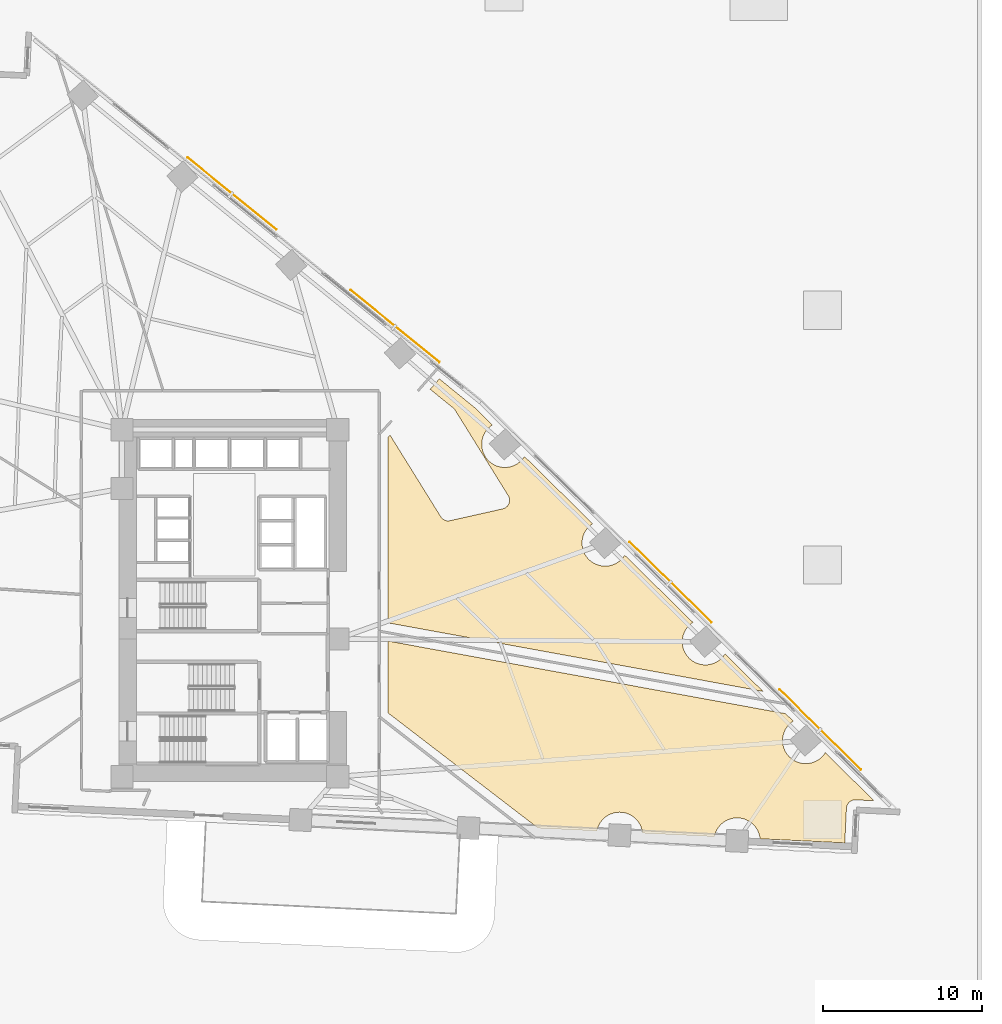
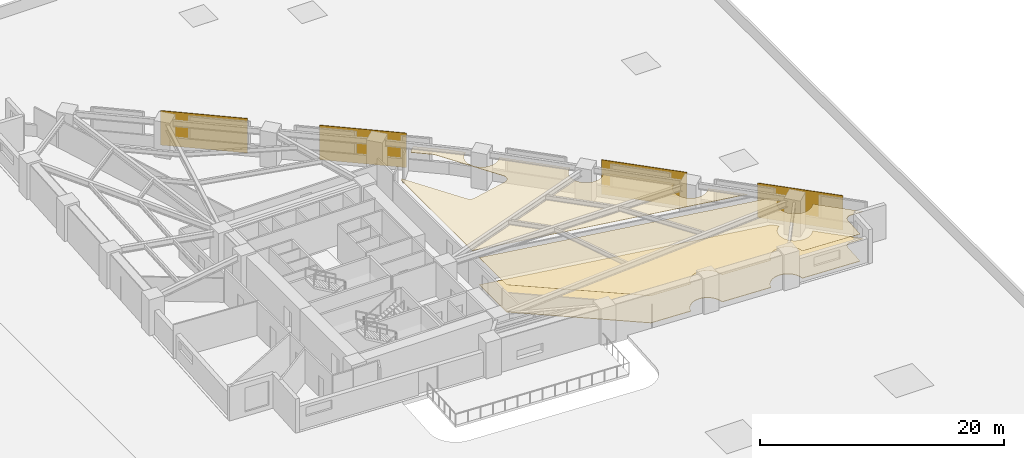
# One storey, part 19 of 19: 4 shading devices, 3 coverings.
"""IFC4 building model written with IfcOpenShell, lengths in metres."""

import ifcopenshell
import ifcopenshell.guid

model = None  # the IFC model being written
_history = None  # IfcOwnerHistory: only IFC2X3 demands one
_inside = {}  # id of a spatial element -> (the spatial element, [elements in it])
_under = {}  # id of a project, library or spatial element -> (it, [spatial elements below it])
_declared = {}  # id of a project -> (the project, [libraries it declares])
_typed = {}  # id of a type object -> (the type object, [elements of that type])
_made_of = {}  # id of a material, layer set ... -> (it, [elements and type objects made of it])


def new_model(schema):
    """Start an empty IFC model of exactly this schema.

    Asked for "IFC4X3", IfcOpenShell would pick the latest addendum, in which some entities
    have other attributes; the version numbers below select the first issue.
    IFC2X3 requires an IfcOwnerHistory on every rooted entity: one is made here for all.
    """
    global model, _history
    if schema == "IFC4X3":
        model = ifcopenshell.file(schema_version=(4, 3, 0, 0))
    else:
        model = ifcopenshell.file(schema=schema)
    _inside.clear()
    _under.clear()
    _declared.clear()
    _typed.clear()
    _made_of.clear()
    _history = None
    if model.schema == "IFC2X3":
        org = make("IfcOrganization", Name="unknown")
        user = make(
            "IfcPersonAndOrganization",
            ThePerson=make("IfcPerson", FamilyName="unknown"),
            TheOrganization=org,
        )
        app = make(
            "IfcApplication",
            ApplicationDeveloper=org,
            Version="unknown",
            ApplicationFullName="unknown",
            ApplicationIdentifier="unknown",
        )
        _history = make(
            "IfcOwnerHistory",
            OwningUser=user,
            OwningApplication=app,
            ChangeAction="ADDED",
            CreationDate=0,
        )
    return model


def make(cls, **values):
    """One entity of the class cls with the attributes given. An attribute that is None is left unset."""
    return model.create_entity(
        cls, **{name: value for name, value in values.items() if value is not None}
    )


def rooted(cls, **values):
    """An entity with a GlobalId (a new one), such as an element, a storey or a relation."""
    return make(cls, GlobalId=ifcopenshell.guid.new(), OwnerHistory=_history, **values)


def si_unit(unit_type, name, prefix=None):
    """IfcSIUnit, for example si_unit("LENGTHUNIT", "METRE", prefix="MILLI")."""
    return make("IfcSIUnit", UnitType=unit_type, Prefix=prefix, Name=name)


def assignment(units):
    """IfcUnitAssignment: the units of a project."""
    return None if units is None else make("IfcUnitAssignment", Units=units)


def point(xyz):
    """IfcCartesianPoint."""
    return None if xyz is None else make("IfcCartesianPoint", Coordinates=xyz)


def direction(xyz):
    """IfcDirection."""
    return None if xyz is None else make("IfcDirection", DirectionRatios=xyz)


def frame(location, z_axis=None, x_axis=None):
    """IfcAxis2Placement3D, a coordinate frame: its origin and axes. An axis left out is left unset."""
    return make(
        "IfcAxis2Placement3D",
        Location=point(location),
        Axis=direction(z_axis),
        RefDirection=direction(x_axis),
    )


def frame_2d(location, x_axis=None):
    """IfcAxis2Placement2D, a coordinate frame in the plane: its origin and x axis."""
    return make(
        "IfcAxis2Placement2D", Location=point(location), RefDirection=direction(x_axis)
    )


def origin():
    """The frame at (0, 0, 0) with its axes left unset."""
    return frame((0.0, 0.0, 0.0))


def origin_2d():
    """The frame at (0, 0) in the plane with its x axis left unset."""
    return frame_2d((0.0, 0.0))


def place(relative_to, where):
    """IfcLocalPlacement: puts the frame where relative to a parent placement (None: the world)."""
    return make(
        "IfcLocalPlacement", PlacementRelTo=relative_to, RelativePlacement=where
    )


def context(
    kind, dimensions, precision=None, world=None, true_north=None, identifier=None
):
    """IfcGeometricRepresentationContext, for example the 3D "Model" context."""
    return make(
        "IfcGeometricRepresentationContext",
        ContextIdentifier=identifier,
        ContextType=kind,
        CoordinateSpaceDimension=dimensions,
        Precision=precision,
        WorldCoordinateSystem=world,
        TrueNorth=true_north,
    )


def subcontext(parent, identifier, kind, view, scale=None):
    """IfcGeometricRepresentationSubContext, for example "Body" below "Model"."""
    return make(
        "IfcGeometricRepresentationSubContext",
        ContextIdentifier=identifier,
        ContextType=kind,
        ParentContext=parent,
        TargetScale=scale,
        TargetView=view,
    )


def project(units=None, contexts=None):
    """IfcProject with its units and contexts."""
    return rooted(
        "IfcProject",
        Name="project",
        RepresentationContexts=contexts,
        UnitsInContext=assignment(units),
    )


def spatial(cls, under=None, at=None, **own):
    """A site, building, storey or space (cls), placed at a placement, below another one or the project."""
    s = rooted(cls, ObjectPlacement=at, **own)
    if under is not None:
        _under.setdefault(under.id(), (under, []))[1].append(s)
    return s


def polyline(points):
    """IfcPolyline through the points."""
    return make("IfcPolyline", Points=[point(p) for p in points])


def profile(cls, at=None, kind="AREA", **sizes):
    """A parametric profile (cls). Its sizes go by their IFC names, for example OverallWidth=200.0."""
    return make(cls, ProfileType=kind, Position=at, **sizes)


def rectangle(**sizes):
    """IfcRectangleProfileDef."""
    return profile("IfcRectangleProfileDef", **sizes)


def outline(outer, holes=None, kind="AREA"):
    """IfcArbitraryClosedProfileDef: a profile drawn as a closed curve; with holes, ...WithVoids."""
    if holes is None:
        return make("IfcArbitraryClosedProfileDef", ProfileType=kind, OuterCurve=outer)
    return make(
        "IfcArbitraryProfileDefWithVoids",
        ProfileType=kind,
        OuterCurve=outer,
        InnerCurves=holes,
    )


def extrude(swept, where, along, depth):
    """IfcExtrudedAreaSolid: the profile swept, set in the frame where, extruded along a direction by depth."""
    return make(
        "IfcExtrudedAreaSolid",
        SweptArea=swept,
        Position=where,
        ExtrudedDirection=direction(along),
        Depth=depth,
    )


def shape(context_of_items, identifier, shape_type, items):
    """IfcShapeRepresentation: the items that make up one representation, for example the "Body"."""
    return make(
        "IfcShapeRepresentation",
        ContextOfItems=context_of_items,
        RepresentationIdentifier=identifier,
        RepresentationType=shape_type,
        Items=items,
    )


def material(Name=None, Category=None):
    """IfcMaterial."""
    return make("IfcMaterial", Name=Name, Category=Category)


def layer(
    of_material, thickness, ventilated=None, Name=None, Category=None, Priority=None
):
    """IfcMaterialLayer: one layer of a wall or slab, of a material (None: an air gap)."""
    return make(
        "IfcMaterialLayer",
        Material=of_material,
        LayerThickness=thickness,
        IsVentilated=ventilated,
        Name=Name,
        Category=Category,
        Priority=Priority,
    )


def layer_set(layers, Name=None):
    """IfcMaterialLayerSet."""
    return make("IfcMaterialLayerSet", MaterialLayers=layers, LayerSetName=Name)


def made_of(thing, what):
    """Note that an element or type object is made of a material, layer set ...; save() writes the relation."""
    if what is not None:
        _made_of.setdefault(what.id(), (what, []))[1].append(thing)
    return thing


def type_object(cls, material=None, **own):
    """A type object (cls), such as IfcWallType, which elements share."""
    return made_of(rooted(cls, **own), material)


def element(
    cls,
    number,
    at=None,
    inside=None,
    cuts=None,
    type_object=None,
    material=None,
    context=None,
    identifier="Body",
    shape_type=None,
    held_by="IfcProductDefinitionShape",
    body=None,
    shapes=None,
    **own,
):
    """One element of the class cls, such as IfcWall. Its Tag is "e" and its number.

    at: its placement. inside: the storey or other place that contains it. cuts: it is an
    opening in that element (IfcRelVoidsElement). A single representation is given by context,
    identifier, shape_type and body (its items); several are given by shapes. held_by: the class
    of the entity that holds the representations. save() writes the other relations.
    """
    e = rooted(cls, Tag="e%d" % number, ObjectPlacement=at, **own)
    if body is not None:
        shapes = [shape(context, identifier, shape_type, body)]
    if shapes is not None:
        e.Representation = make(held_by, Representations=shapes)
    if inside is not None:
        _inside.setdefault(inside.id(), (inside, []))[1].append(e)
    if cuts is not None:
        rooted(
            "IfcRelVoidsElement", RelatingBuildingElement=cuts, RelatedOpeningElement=e
        )
    if type_object is not None:
        _typed.setdefault(type_object.id(), (type_object, []))[1].append(e)
    return made_of(e, material)


def aggregate(whole, parts):
    """IfcRelAggregates: a whole, such as a stair, and the parts it consists of."""
    return rooted("IfcRelAggregates", RelatingObject=whole, RelatedObjects=parts)


def save(model, path):
    """Write the relations noted so far, then the file.

    IfcRelAggregates (storeys below a building ...), IfcRelContainedInSpatialStructure (elements
    in a storey), IfcRelDefinesByType, IfcRelAssociatesMaterial and IfcRelDeclares: one each for
    every whole, place, type object, material and project.
    """
    for whole, parts in _under.values():
        aggregate(whole, parts)
    for where, things in _inside.values():
        rooted(
            "IfcRelContainedInSpatialStructure",
            RelatedElements=things,
            RelatingStructure=where,
        )
    for kind, things in _typed.values():
        rooted("IfcRelDefinesByType", RelatedObjects=things, RelatingType=kind)
    for what, things in _made_of.values():
        rooted("IfcRelAssociatesMaterial", RelatedObjects=things, RelatingMaterial=what)
    for by, libraries in _declared.values():
        rooted("IfcRelDeclares", RelatingContext=by, RelatedDefinitions=libraries)
    model.write(path)


model = new_model("IFC4")

# Units and contexts
model_context = context("Model", 3, precision=1e-05, world=origin(), true_north=direction((0.0, 1.0)))
body_context = subcontext(model_context, "Body", "Model", "MODEL_VIEW")
ifc_project = project(units=[si_unit("LENGTHUNIT", "METRE"), si_unit("AREAUNIT", "SQUARE_METRE"), si_unit("VOLUMEUNIT", "CUBIC_METRE"), si_unit("PLANEANGLEUNIT", "RADIAN"), si_unit("MASSUNIT", "GRAM", prefix="KILO")], contexts=[model_context])

# Site, building, storey
site_placement = place(None, origin())
site = spatial("IfcSite", under=ifc_project, at=site_placement, CompositionType="ELEMENT")
building_placement = place(site_placement, origin())
building = spatial("IfcBuilding", under=site, at=building_placement, Name="Narakoshi Arena Tower", CompositionType="ELEMENT")
storey_placement = place(building_placement, frame((0.0, 0.0, 26.699951171875)))
storey = spatial("IfcBuildingStorey", under=building, at=storey_placement, Name="L06", CompositionType="ELEMENT", Elevation=26.699951171875)

# Coverings
ifc_material_1 = material(Name="Acoustic mineral-fibre ceiling tile")
ifc_layer_1 = layer(ifc_material_1, 0.02001953125)
ifc_layer_set_1 = layer_set([ifc_layer_1], Name="Acoustic mineral-fibre ceiling tile")
covering_type_1 = type_object("IfcCoveringType", Name="COV-CLG-AC20", PredefinedType="CEILING", material=ifc_layer_set_1)
covering_1_placement = place(storey_placement, frame((0.0, 0.0, 2.72998046875)))
element("IfcCovering", 1, at=covering_1_placement, inside=storey, type_object=covering_type_1, Name="L06 Suspended Acoustic Ceiling 1", PredefinedType="CEILING", context=body_context, shape_type="SweptSolid", body=[
    extrude(outline(polyline([(112.07958984375, 30.7978515625), (112.079345703125, 30.803955078125), (112.05859375, 30.94482421875), (112.02392578125, 31.082763671875), (111.97607421875, 31.216796875), (111.915283203125, 31.345458984375), (111.842041015625, 31.467529296875), (111.75732421875, 31.581787109375), (111.66162109375, 31.687255859375), (111.556396484375, 31.78271484375), (111.44189453125, 31.867431640625), (111.31982421875, 31.940673828125), (111.19140625, 32.00146484375), (111.057373046875, 32.049560546875), (110.919189453125, 32.083984375), (110.778564453125, 32.10498046875), (110.636474609375, 32.11181640625), (110.494384765625, 32.10498046875), (110.353515625, 32.083984375), (110.215576171875, 32.049560546875), (110.08154296875, 32.00146484375), (109.952880859375, 31.940673828125), (109.830810546875, 31.867431640625), (109.716552734375, 31.78271484375), (109.611083984375, 31.687255859375), (109.515380859375, 31.581787109375), (109.430908203125, 31.467529296875), (109.357666015625, 31.345458984375), (109.296875, 31.216796875), (109.248779296875, 31.082763671875), (109.21435546875, 30.94482421875), (109.212890625, 30.935546875), (104.6962890625, 31.152587890625), (104.69580078125, 31.15869140625), (104.675048828125, 31.29931640625), (104.640380859375, 31.4375), (104.592529296875, 31.5712890625), (104.53173828125, 31.699951171875), (104.45849609375, 31.822021484375), (104.373779296875, 31.936279296875), (104.2783203125, 32.041748046875), (104.1728515625, 32.137451171875), (104.05859375, 32.22216796875), (103.936279296875, 32.29541015625), (103.807861328125, 32.356201171875), (103.673828125, 32.404052734375), (103.535888671875, 32.438720703125), (103.39501953125, 32.45947265625), (103.2529296875, 32.466552734375), (103.11083984375, 32.45947265625), (102.969970703125, 32.438720703125), (102.83203125, 32.404052734375), (102.697998046875, 32.356201171875), (102.5693359375, 32.29541015625), (102.447265625, 32.22216796875), (102.3330078125, 32.137451171875), (102.2275390625, 32.041748046875), (102.132080078125, 31.936279296875), (102.04736328125, 31.822021484375), (101.97412109375, 31.699951171875), (101.913330078125, 31.5712890625), (101.865234375, 31.4375), (101.830810546875, 31.29931640625), (101.829345703125, 31.290283203125), (98.137939453125, 31.467529296875), (88.699951171875, 38.710693359375), (88.699951171875, 43.220703125), (113.684326171875, 38.65771484375), (114.159912109375, 38.189453125), (114.13671875, 38.175537109375), (114.022216796875, 38.0908203125), (113.9169921875, 37.9951171875), (113.8212890625, 37.889892578125), (113.736572265625, 37.775390625), (113.663330078125, 37.6533203125), (113.6025390625, 37.52490234375), (113.5546875, 37.390869140625), (113.52001953125, 37.252685546875), (113.499267578125, 37.112060546875), (113.4921875, 36.969970703125), (113.499267578125, 36.827880859375), (113.52001953125, 36.68701171875), (113.5546875, 36.549072265625), (113.6025390625, 36.4150390625), (113.663330078125, 36.286376953125), (113.736572265625, 36.164306640625), (113.8212890625, 36.050048828125), (113.9169921875, 35.944580078125), (114.022216796875, 35.84912109375), (114.13671875, 35.764404296875), (114.2587890625, 35.691162109375), (114.38720703125, 35.63037109375), (114.521240234375, 35.582275390625), (114.6591796875, 35.5478515625), (114.800048828125, 35.52685546875), (114.942138671875, 35.52001953125), (115.084228515625, 35.52685546875), (115.22509765625, 35.5478515625), (115.363037109375, 35.582275390625), (115.4970703125, 35.63037109375), (115.625732421875, 35.691162109375), (115.747802734375, 35.764404296875), (115.862060546875, 35.84912109375), (115.967529296875, 35.944580078125), (116.06298828125, 36.050048828125), (116.147705078125, 36.164306640625), (116.17333984375, 36.206787109375), (119.239990234375, 33.18701171875), (118.080810546875, 33.24267578125), (118.02685546875, 33.24267578125), (117.97314453125, 33.2373046875), (117.920166015625, 33.226806640625), (117.868408203125, 33.2109375), (117.818603515625, 33.190185546875), (117.77099609375, 33.164794921875), (117.726318359375, 33.134765625), (117.6845703125, 33.100341796875), (117.646484375, 33.062255859375), (117.6123046875, 33.0205078125), (117.582275390625, 32.9755859375), (117.556884765625, 32.927978515625), (117.536376953125, 32.8779296875), (117.520751953125, 32.826416015625), (117.51025390625, 32.7734375), (117.5048828125, 32.7197265625), (117.400390625, 30.542236328125), (112.07958984375, 30.7978515625)])), origin(), (0.0, 0.0, 1.0), 0.02001953125),
])
ifc_material_2 = material(Name="Slatted oak acoustic timber baffle", Category="wood")
ifc_layer_2 = layer(ifc_material_2, 0.034912109375)
ifc_layer_set_2 = layer_set([ifc_layer_2], Name="Slatted oak acoustic timber baffle")
covering_type_2 = type_object("IfcCoveringType", Name="COV-CLG-WD35", PredefinedType="CEILING", material=ifc_layer_set_2)
covering_2_placement = place(storey_placement, frame((0.0, 0.0, 2.715087890625)))
element("IfcCovering", 2, at=covering_2_placement, inside=storey, type_object=covering_type_2, Name="L06 Suspended Acoustic Ceiling 2", PredefinedType="CEILING", context=body_context, shape_type="SweptSolid", body=[
    extrude(outline(polyline([(95.2646484375, 56.795166015625), (95.241455078125, 56.78125), (95.127197265625, 56.696533203125), (95.021728515625, 56.60107421875), (94.926025390625, 56.49560546875), (94.84130859375, 56.38134765625), (94.768310546875, 56.25927734375), (94.70751953125, 56.130615234375), (94.659423828125, 55.99658203125), (94.625, 55.858642578125), (94.60400390625, 55.7177734375), (94.596923828125, 55.57568359375), (94.60400390625, 55.43359375), (94.625, 55.292724609375), (94.659423828125, 55.15478515625), (94.70751953125, 55.020751953125), (94.768310546875, 54.89208984375), (94.84130859375, 54.77001953125), (94.926025390625, 54.65576171875), (95.021728515625, 54.55029296875), (95.127197265625, 54.454833984375), (95.241455078125, 54.3701171875), (95.363525390625, 54.296875), (95.4921875, 54.236083984375), (95.626220703125, 54.18798828125), (95.76416015625, 54.153564453125), (95.90478515625, 54.1328125), (96.047119140625, 54.125732421875), (96.189208984375, 54.1328125), (96.329833984375, 54.153564453125), (96.468017578125, 54.18798828125), (96.601806640625, 54.236083984375), (96.73046875, 54.296875), (96.8525390625, 54.3701171875), (96.966796875, 54.454833984375), (97.072265625, 54.55029296875), (97.16796875, 54.65576171875), (97.252685546875, 54.77001953125), (97.278076171875, 54.8125), (101.56298828125, 50.59326171875), (101.539794921875, 50.579345703125), (101.425537109375, 50.49462890625), (101.320068359375, 50.399169921875), (101.224609375, 50.293701171875), (101.139892578125, 50.179443359375), (101.066650390625, 50.057373046875), (101.005859375, 49.9287109375), (100.957763671875, 49.794677734375), (100.92333984375, 49.65673828125), (100.90234375, 49.515869140625), (100.8955078125, 49.373779296875), (100.90234375, 49.231689453125), (100.92333984375, 49.0908203125), (100.957763671875, 48.952880859375), (101.005859375, 48.81884765625), (101.066650390625, 48.690185546875), (101.139892578125, 48.568115234375), (101.224609375, 48.453857421875), (101.320068359375, 48.348388671875), (101.425537109375, 48.2529296875), (101.539794921875, 48.168212890625), (101.661865234375, 48.094970703125), (101.79052734375, 48.0341796875), (101.924560546875, 47.986083984375), (102.0625, 47.95166015625), (102.203369140625, 47.930908203125), (102.345458984375, 47.923828125), (102.487548828125, 47.930908203125), (102.62841796875, 47.95166015625), (102.766357421875, 47.986083984375), (102.900390625, 48.0341796875), (103.02880859375, 48.094970703125), (103.15087890625, 48.168212890625), (103.265380859375, 48.2529296875), (103.37060546875, 48.348388671875), (103.46630859375, 48.453857421875), (103.551025390625, 48.568115234375), (103.576416015625, 48.610595703125), (107.861328125, 44.391357421875), (107.838134765625, 44.37744140625), (107.723876953125, 44.292724609375), (107.618408203125, 44.197265625), (107.52294921875, 44.091796875), (107.438232421875, 43.9775390625), (107.364990234375, 43.85546875), (107.30419921875, 43.726806640625), (107.256103515625, 43.5927734375), (107.2216796875, 43.454833984375), (107.20068359375, 43.31396484375), (107.19384765625, 43.171875), (107.20068359375, 43.02978515625), (107.2216796875, 42.888916015625), (107.256103515625, 42.7509765625), (107.30419921875, 42.616943359375), (107.364990234375, 42.48828125), (107.438232421875, 42.3662109375), (107.52294921875, 42.251953125), (107.618408203125, 42.146484375), (107.723876953125, 42.051025390625), (107.838134765625, 41.96630859375), (107.960205078125, 41.89306640625), (108.0888671875, 41.832275390625), (108.222900390625, 41.7841796875), (108.36083984375, 41.749755859375), (108.501708984375, 41.72900390625), (108.643798828125, 41.721923828125), (108.785888671875, 41.72900390625), (108.9267578125, 41.749755859375), (109.064697265625, 41.7841796875), (109.19873046875, 41.832275390625), (109.327392578125, 41.89306640625), (109.449462890625, 41.96630859375), (109.563720703125, 42.051025390625), (109.669189453125, 42.146484375), (109.7646484375, 42.251953125), (109.849365234375, 42.3662109375), (109.874755859375, 42.40869140625), (112.259521484375, 40.060546875), (88.699951171875, 44.36328125), (88.699951171875, 56.00927734375), (88.8330078125, 56.16064453125), (92.02197265625, 51.02734375), (92.051513671875, 50.984130859375), (92.085205078125, 50.944091796875), (92.122314453125, 50.90771484375), (92.1630859375, 50.87451171875), (92.20654296875, 50.845703125), (92.252685546875, 50.821044921875), (92.30078125, 50.80078125), (92.3505859375, 50.78515625), (92.40185546875, 50.7744140625), (92.453857421875, 50.7685546875), (92.506103515625, 50.767822265625), (92.55810546875, 50.77197265625), (92.609619140625, 50.781005859375), (95.915283203125, 51.5234375), (95.968505859375, 51.5380859375), (96.02001953125, 51.55810546875), (96.069091796875, 51.583251953125), (96.115478515625, 51.613037109375), (96.15869140625, 51.6474609375), (96.197998046875, 51.685791015625), (96.2333984375, 51.72802734375), (96.264404296875, 51.773681640625), (96.290771484375, 51.822265625), (96.31201171875, 51.873046875), (96.328369140625, 51.92578125), (96.339111328125, 51.979736328125), (96.34423828125, 52.03466796875), (96.343994140625, 52.08984375), (96.33837890625, 52.144775390625), (96.3271484375, 52.19873046875), (96.310546875, 52.251220703125), (96.288818359375, 52.302001953125), (96.26220703125, 52.35009765625), (92.927001953125, 57.719482421875), (92.89208984375, 57.769287109375), (92.851806640625, 57.81494140625), (92.806640625, 57.85595703125), (91.3583984375, 59.033203125), (91.933349609375, 59.68701171875), (94.193603515625, 57.849853515625), (95.2646484375, 56.795166015625)])), origin(), (0.0, 0.0, 1.0), 0.034912109375),
])
ifc_material_3 = material(Name="Raised steel access floor panel", Category="steel")
ifc_layer_3 = layer(ifc_material_3, 0.044921875)
ifc_layer_set_3 = layer_set([ifc_layer_3], Name="Raised steel access floor panel")
covering_type_3 = type_object("IfcCoveringType", Name="COV-FLR-RF45", PredefinedType="FLOORING", material=ifc_layer_set_3)
covering_3_placement = place(storey_placement, origin())
element("IfcCovering", 3, at=covering_3_placement, inside=storey, type_object=covering_type_3, Name="L06 Raised Steel Access Floor", PredefinedType="FLOORING", context=body_context, shape_type="SweptSolid", body=[
    extrude(outline(polyline([(112.07958984375, 30.7978515625), (112.079345703125, 30.803955078125), (112.05859375, 30.94482421875), (112.02392578125, 31.082763671875), (111.97607421875, 31.216796875), (111.915283203125, 31.345458984375), (111.842041015625, 31.467529296875), (111.75732421875, 31.581787109375), (111.66162109375, 31.687255859375), (111.556396484375, 31.78271484375), (111.44189453125, 31.867431640625), (111.31982421875, 31.940673828125), (111.19140625, 32.00146484375), (111.057373046875, 32.049560546875), (110.919189453125, 32.083984375), (110.778564453125, 32.10498046875), (110.636474609375, 32.11181640625), (110.494384765625, 32.10498046875), (110.353515625, 32.083984375), (110.215576171875, 32.049560546875), (110.08154296875, 32.00146484375), (109.952880859375, 31.940673828125), (109.830810546875, 31.867431640625), (109.716552734375, 31.78271484375), (109.611083984375, 31.687255859375), (109.515380859375, 31.581787109375), (109.430908203125, 31.467529296875), (109.357666015625, 31.345458984375), (109.296875, 31.216796875), (109.248779296875, 31.082763671875), (109.21435546875, 30.94482421875), (109.212890625, 30.935546875), (104.6962890625, 31.152587890625), (104.69580078125, 31.15869140625), (104.675048828125, 31.29931640625), (104.640380859375, 31.4375), (104.592529296875, 31.5712890625), (104.53173828125, 31.699951171875), (104.45849609375, 31.822021484375), (104.373779296875, 31.936279296875), (104.2783203125, 32.041748046875), (104.1728515625, 32.137451171875), (104.05859375, 32.22216796875), (103.936279296875, 32.29541015625), (103.807861328125, 32.356201171875), (103.673828125, 32.404052734375), (103.535888671875, 32.438720703125), (103.39501953125, 32.45947265625), (103.2529296875, 32.466552734375), (103.11083984375, 32.45947265625), (102.969970703125, 32.438720703125), (102.83203125, 32.404052734375), (102.697998046875, 32.356201171875), (102.5693359375, 32.29541015625), (102.447265625, 32.22216796875), (102.3330078125, 32.137451171875), (102.2275390625, 32.041748046875), (102.132080078125, 31.936279296875), (102.04736328125, 31.822021484375), (101.97412109375, 31.699951171875), (101.913330078125, 31.5712890625), (101.865234375, 31.4375), (101.830810546875, 31.29931640625), (101.829345703125, 31.290283203125), (98.137939453125, 31.467529296875), (88.699951171875, 38.710693359375), (88.699951171875, 43.220703125), (113.684326171875, 38.65771484375), (114.159912109375, 38.189453125), (114.13671875, 38.175537109375), (114.022216796875, 38.0908203125), (113.9169921875, 37.9951171875), (113.8212890625, 37.889892578125), (113.736572265625, 37.775390625), (113.663330078125, 37.6533203125), (113.6025390625, 37.52490234375), (113.5546875, 37.390869140625), (113.52001953125, 37.252685546875), (113.499267578125, 37.112060546875), (113.4921875, 36.969970703125), (113.499267578125, 36.827880859375), (113.52001953125, 36.68701171875), (113.5546875, 36.549072265625), (113.6025390625, 36.4150390625), (113.663330078125, 36.286376953125), (113.736572265625, 36.164306640625), (113.8212890625, 36.050048828125), (113.9169921875, 35.944580078125), (114.022216796875, 35.84912109375), (114.13671875, 35.764404296875), (114.2587890625, 35.691162109375), (114.38720703125, 35.63037109375), (114.521240234375, 35.582275390625), (114.6591796875, 35.5478515625), (114.800048828125, 35.52685546875), (114.942138671875, 35.52001953125), (115.084228515625, 35.52685546875), (115.22509765625, 35.5478515625), (115.363037109375, 35.582275390625), (115.4970703125, 35.63037109375), (115.625732421875, 35.691162109375), (115.747802734375, 35.764404296875), (115.862060546875, 35.84912109375), (115.967529296875, 35.944580078125), (116.06298828125, 36.050048828125), (116.147705078125, 36.164306640625), (116.17333984375, 36.206787109375), (119.239990234375, 33.18701171875), (118.080810546875, 33.24267578125), (118.02685546875, 33.24267578125), (117.97314453125, 33.2373046875), (117.920166015625, 33.226806640625), (117.868408203125, 33.2109375), (117.818603515625, 33.190185546875), (117.77099609375, 33.164794921875), (117.726318359375, 33.134765625), (117.6845703125, 33.100341796875), (117.646484375, 33.062255859375), (117.6123046875, 33.0205078125), (117.582275390625, 32.9755859375), (117.556884765625, 32.927978515625), (117.536376953125, 32.8779296875), (117.520751953125, 32.826416015625), (117.51025390625, 32.7734375), (117.5048828125, 32.7197265625), (117.400390625, 30.542236328125), (112.07958984375, 30.7978515625)])), origin(), (0.0, 0.0, 1.0), 0.045166015625),
])

# Shading devices
ifc_material_4 = material(Name="Perforated bronze ceramic-metal composite")
ifc_layer_4 = layer(ifc_material_4, 0.044921875)
ifc_layer_set_4 = layer_set([ifc_layer_4], Name="Perforated bronze ceramic-metal composite")
shading_device_type = type_object("IfcShadingDeviceType", Name="SHD-SCR-BRZ1", PredefinedType="USERDEFINED", material=ifc_layer_set_4)
for number, where, z_axis, x_axis, name in (
    (4, (115.85498046875, 37.660400390625, 0.0), (0.0, 0.0, 1.0), (-0.712540559713, 0.70163092204, 0.0), "L06 Perforated Bronze Solar Screen 1-1"),
    (5, (106.44970703125, 46.921875, 0.0), (0.0, 0.0, 1.0), (-0.712540559713, 0.70163092204, 0.0), "L06 Perforated Bronze Solar Screen 1-2"),
    (6, (89.14208984375, 63.002685546875, 0.0), (0.0, 0.0, 1.0), (-0.776002375698, 0.630729984154, 0.0), "L06 Perforated Bronze Solar Screen 2-1"),
    (7, (78.898681640625, 71.328369140625, 0.0), (0.0, 0.0, 1.0), (-0.776002375698, 0.630729984154, 0.0), "L06 Perforated Bronze Solar Screen 2-2"),
):
    element("IfcShadingDevice", number, at=place(storey_placement, frame(where, z_axis=z_axis, x_axis=x_axis)), inside=storey, type_object=shading_device_type, Name=name, ObjectType="SOLAR SCREEN", PredefinedType="USERDEFINED", context=body_context, shape_type="SweptSolid", body=[
        extrude(rectangle(XDim=7.199951171875, YDim=0.044921875, at=origin_2d()), origin(), (0.0, 0.0, 1.0), 3.449951171875),
    ])

save(model, "model.ifc")
